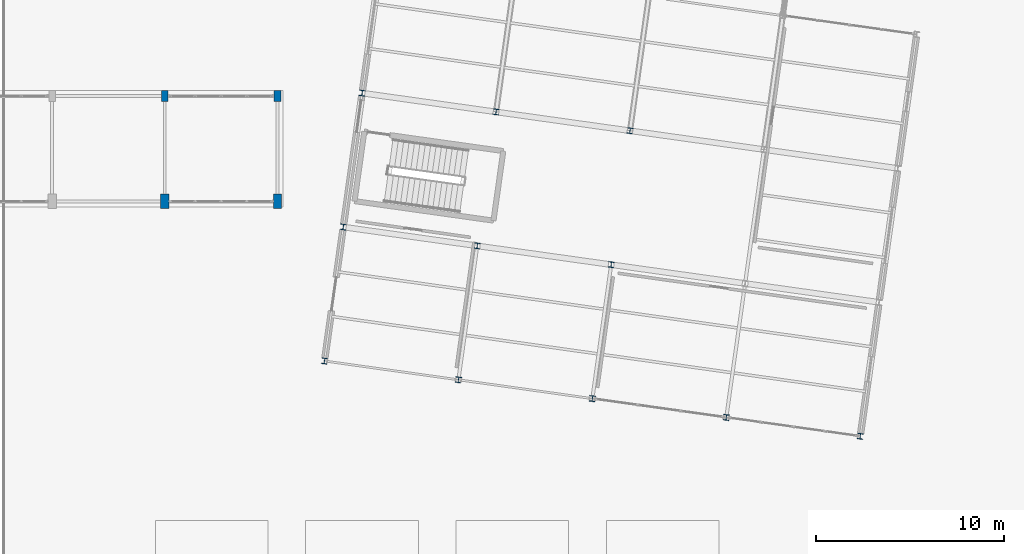
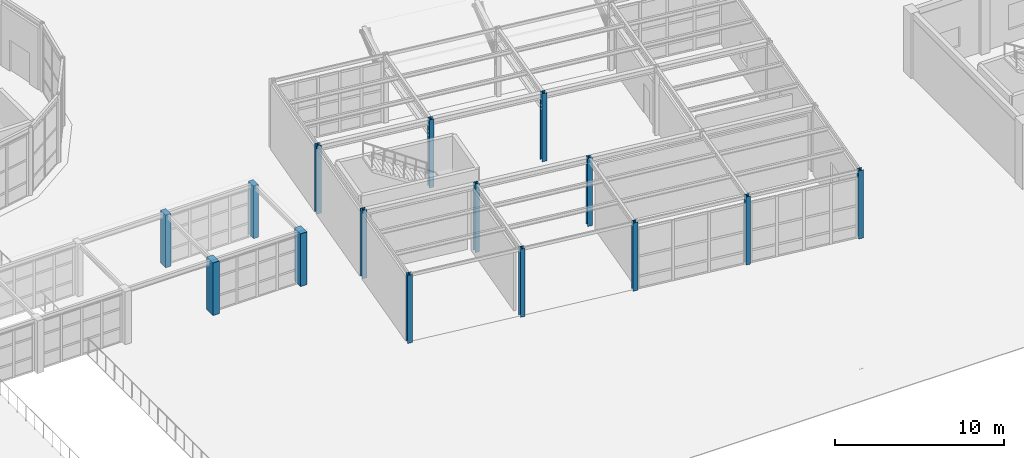
# One storey, part 5 of 57: 15 columns.
"""IFC4 building model written with IfcOpenShell, lengths in metres."""

from ifc_helpers import new_model, si_unit, direction, frame, origin, origin_2d, place, context, subcontext, project, spatial, rectangle, i_section, extrude, material, material_profile, profile_set, type_object, element, save


model = new_model("IFC4")

# Units and contexts
model_context = context("Model", 3, precision=1e-05, world=origin(), true_north=direction((0.0, 1.0)))
body_context = subcontext(model_context, "Body", "Model", "MODEL_VIEW")
ifc_project = project(units=[si_unit("LENGTHUNIT", "METRE"), si_unit("AREAUNIT", "SQUARE_METRE"), si_unit("VOLUMEUNIT", "CUBIC_METRE"), si_unit("PLANEANGLEUNIT", "RADIAN"), si_unit("MASSUNIT", "GRAM", prefix="KILO")], contexts=[model_context])

# Site, building, storey
site_placement = place(None, origin())
site = spatial("IfcSite", under=ifc_project, at=site_placement, CompositionType="ELEMENT")
building_placement = place(site_placement, origin())
building = spatial("IfcBuilding", under=site, at=building_placement, Name="Kharisveld Research Institute", CompositionType="ELEMENT")
storey_placement = place(building_placement, origin())
storey = spatial("IfcBuildingStorey", under=building, at=storey_placement, Name="L00", CompositionType="ELEMENT", Elevation=0.0)

# Columns
ifc_material_1 = material(Name="Steel S355JR", Category="steel")
ifc_material_profile_1 = material_profile(ifc_material_1, i_section(OverallWidth=0.300048828125, OverallDepth=0.300048828125, WebThickness=0.010986328125, FlangeThickness=0.01904296875, at=origin_2d()))
ifc_profile_set_1 = profile_set([ifc_material_profile_1], Name="Steel S355JR")
column_type_1 = type_object("IfcColumnType", Name="COL_ST_HEB300", PredefinedType="COLUMN", material=ifc_profile_set_1)
for number, where, z_axis, x_axis, name in (
    (1, (75.0, 17.5, 0.0), (0.0, 0.0, 1.0), (0.990268068742, -0.13917310096, 0.0), "COL:V4:L00:U0V0"),
    (2, (76.001953125, 24.6298828125, 0.0), (0.0, 0.0, 1.0), (0.990268068742, -0.13917310096, 0.0), "COL:V4:L00:U0V1"),
    (3, (77.004150390625, 31.759765625, 0.0), (0.0, 0.0, 1.0), (0.990268068742, -0.13917310096, 0.0), "COL:V4:L00:U0V2"),
    (4, (82.1298828125, 16.498046875, 0.0), (0.0, 0.0, 1.0), (0.990268068742, -0.13917310096, 0.0), "COL:V4:L00:U1V0"),
    (5, (83.132080078125, 23.6279296875, 0.0), (0.0, 0.0, 1.0), (0.990268068742, -0.13917310096, 0.0), "COL:V4:L00:U1V1"),
    (6, (84.134033203125, 30.7578125, 0.0), (0.0, 0.0, 1.0), (0.990268068742, -0.13917310096, 0.0), "COL:V4:L00:U1V2"),
    (7, (89.259765625, 15.495849609375, 0.0), (0.0, 0.0, 1.0), (0.990268068742, -0.13917310096, 0.0), "COL:V4:L00:U2V0"),
    (8, (90.261962890625, 22.625732421875, 0.0), (0.0, 0.0, 1.0), (0.990268068742, -0.13917310096, 0.0), "COL:V4:L00:U2V1"),
    (9, (91.263916015625, 29.755859375, 0.0), (0.0, 0.0, 1.0), (0.990268068742, -0.13917310096, 0.0), "COL:V4:L00:U2V2"),
    (10, (96.389892578125, 14.493896484375, 0.0), (0.0, 0.0, 1.0), (0.990268068742, -0.13917310096, 0.0), "COL:V4:L00:U3V0"),
    (11, (103.519775390625, 13.49169921875, 0.0), (0.0, 0.0, 1.0), (0.990268068742, -0.13917310096, 0.0), "COL:V4:L00:U4V0"),
):
    element("IfcColumn", number, at=place(storey_placement, frame(where, z_axis=z_axis, x_axis=x_axis)), inside=storey, type_object=column_type_1, Name=name, PredefinedType="COLUMN", context=body_context, shape_type="SweptSolid", body=[
        extrude(i_section(OverallWidth=0.300048828125, OverallDepth=0.300048828125, WebThickness=0.010986328125, FlangeThickness=0.01904296875, at=origin_2d()), origin(), (0.0, 0.0, 1.0), 4.919921875),
    ])
ifc_material_2 = material(Name="Concrete C40/50", Category="concrete")
ifc_material_profile_2 = material_profile(ifc_material_2, rectangle(XDim=0.35009765625, YDim=0.60009765625, at=origin_2d()))
ifc_profile_set_2 = profile_set([ifc_material_profile_2], Name="Concrete C40/50")
column_type_2 = type_object("IfcColumnType", Name="PIL_RC_350x600", PredefinedType="PILASTER", material=ifc_profile_set_2)
for number, where, z_axis, x_axis, name in (
    (12, (66.5, 31.60009765625, 0.0), (0.0, 0.0, 1.0), (1.0, 0.0, 0.0), "PIL:ARC:L00:4_2"),
    (13, (72.5, 31.60009765625, 0.0), (0.0, 0.0, 1.0), (1.0, 0.0, 0.0), "PIL:ARC:L00:5_2"),
):
    element("IfcColumn", number, at=place(storey_placement, frame(where, z_axis=z_axis, x_axis=x_axis)), inside=storey, type_object=column_type_2, Name=name, PredefinedType="PILASTER", context=body_context, shape_type="SweptSolid", body=[
        extrude(rectangle(XDim=0.35009765625, YDim=0.60009765625, at=origin_2d()), origin(), (0.0, 0.0, 1.0), 3.800048828125),
    ])
ifc_material_3 = material(Name="Concrete C40/50", Category="concrete")
ifc_material_profile_3 = material_profile(ifc_material_3, rectangle(XDim=0.449951171875, YDim=0.75, at=origin_2d()))
ifc_profile_set_3 = profile_set([ifc_material_profile_3], Name="Concrete C40/50")
column_type_3 = type_object("IfcColumnType", Name="PIL_RC_450x750", PredefinedType="PILASTER", material=ifc_profile_set_3)
for number, where, z_axis, x_axis, name in (
    (14, (66.5, 26.0, 0.0), (0.0, 0.0, 1.0), (1.0, 0.0, 0.0), "PIL:ARC:L00:4_1"),
    (15, (72.5, 26.0, 0.0), (0.0, 0.0, 1.0), (1.0, 0.0, 0.0), "PIL:ARC:L00:5_1"),
):
    element("IfcColumn", number, at=place(storey_placement, frame(where, z_axis=z_axis, x_axis=x_axis)), inside=storey, type_object=column_type_3, Name=name, PredefinedType="PILASTER", context=body_context, shape_type="SweptSolid", body=[
        extrude(rectangle(XDim=0.449951171875, YDim=0.75, at=origin_2d()), origin(), (0.0, 0.0, 1.0), 3.800048828125),
    ])

save(model, "model.ifc")
